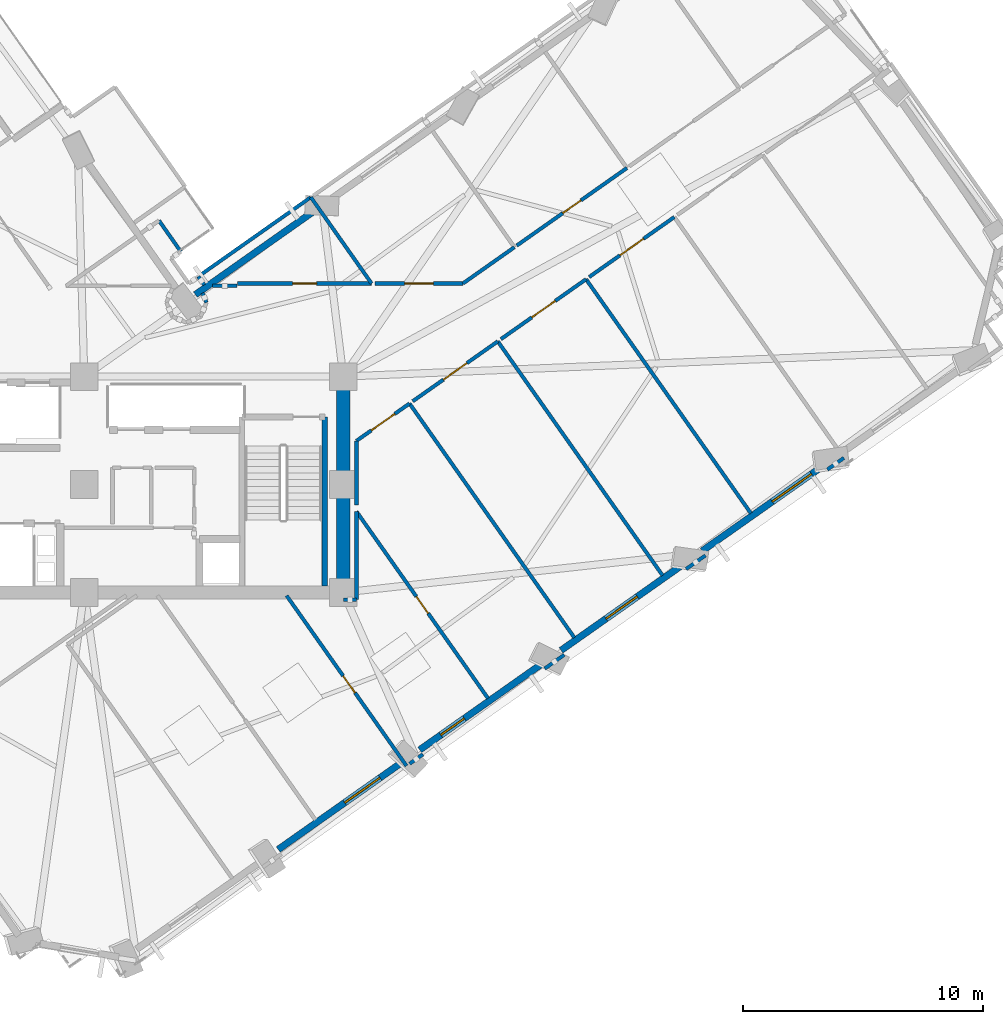
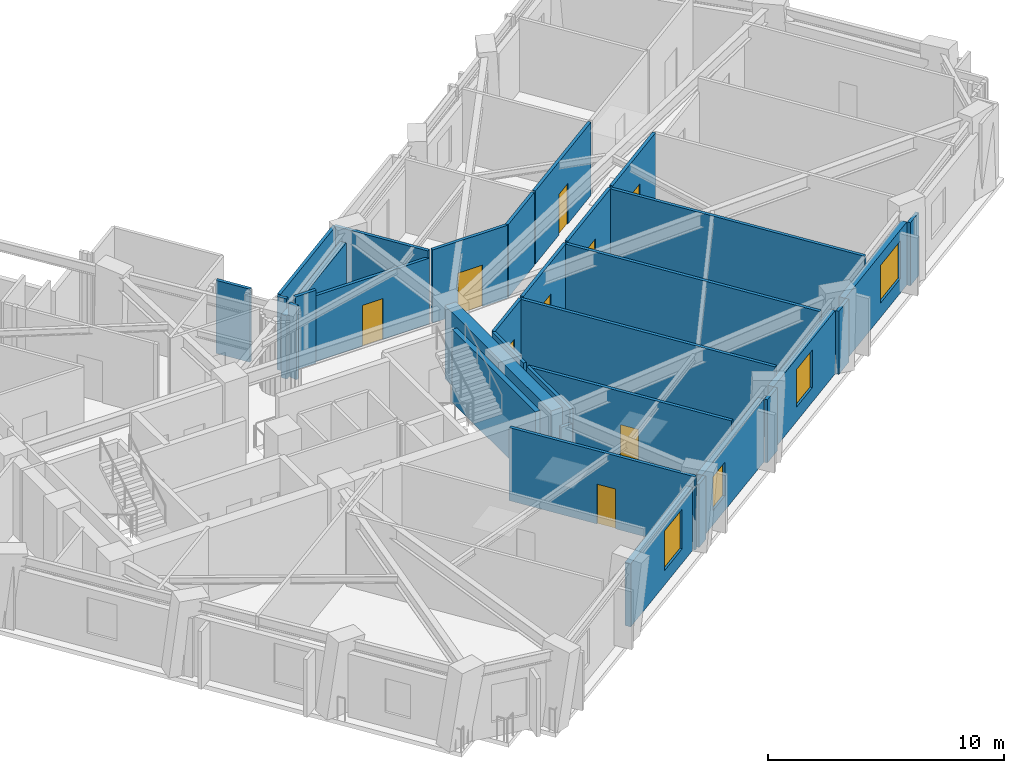
# One storey, part 6 of 13: 33 walls, 9 doors, 4 windows, 13 openings.
"""IFC4 building model written with IfcOpenShell, lengths in metres."""

from ifc_helpers import new_model, si_unit, direction, frame, frame_2d, origin, place, context, subcontext, project, spatial, rectangle, extrude, material, layer, layer_set, type_object, element, fill, save


model = new_model("IFC4")

# Units and contexts
model_context = context("Model", 3, precision=1e-05, world=origin(), true_north=direction((0.0, 1.0)))
body_context = subcontext(model_context, "Body", "Model", "MODEL_VIEW")
ifc_project = project(units=[si_unit("LENGTHUNIT", "METRE"), si_unit("AREAUNIT", "SQUARE_METRE"), si_unit("VOLUMEUNIT", "CUBIC_METRE"), si_unit("PLANEANGLEUNIT", "RADIAN"), si_unit("MASSUNIT", "GRAM", prefix="KILO")], contexts=[model_context])

# Site, building, storey
site_placement = place(None, origin())
site = spatial("IfcSite", under=ifc_project, at=site_placement, CompositionType="ELEMENT")
building_placement = place(site_placement, origin())
building = spatial("IfcBuilding", under=site, at=building_placement, Name="Gaonmaruhae Medical Tower", CompositionType="ELEMENT")
storey_placement = place(building_placement, frame((0.0, 0.0, 173.800048828125)))
storey = spatial("IfcBuildingStorey", under=building, at=storey_placement, Name="L41", CompositionType="ELEMENT", Elevation=173.800048828125)

# Wall
ifc_material_1 = material(Name="Concrete C50/60", Category="concrete")
ifc_layer_1 = layer(ifc_material_1, 0.550048828125)
ifc_layer_set_1 = layer_set([ifc_layer_1], Name="Concrete C50/60")
wall_type_1 = type_object("IfcWallType", Name="CW-550 Mid-High Core Shear Wall", PredefinedType="SHEAR", material=ifc_layer_set_1)
wall_1_placement = place(storey_placement, frame((35.60009765625, 7.800048828125, 0.0), z_axis=(0.0, 0.0, 1.0), x_axis=(0.0, 1.0, 0.0)))
element("IfcWall", 1, at=wall_1_placement, inside=storey, type_object=wall_type_1, Name="L41 Core Shear Wall CSW-E1", PredefinedType="SHEAR", context=body_context, shape_type="SweptSolid", body=[
    extrude(rectangle(XDim=9.0, YDim=0.550048828125, at=frame_2d((4.5, 0.0))), origin(), (0.0, 0.0, 1.0), 3.780029296875),
])

# Wall, opening, window
ifc_material_2 = material(Name="Precast concrete C45/55", Category="concrete")
ifc_layer_2 = layer(ifc_material_2, 0.280029296875)
ifc_layer_set_2 = layer_set([ifc_layer_2], Name="Precast concrete C45/55")
wall_type_2 = type_object("IfcWallType", Name="EW-280 Upper Precast Masonry-Frame Facade Wall", PredefinedType="SOLIDWALL", material=ifc_layer_set_2)
wall_2_placement = place(storey_placement, frame((37.984375, 0.6748046875, 0.0), z_axis=(0.0, 0.0, 1.0), x_axis=(-0.817652115321, -0.575712617814, 0.0)))
wall_2 = element("IfcWall", 2, at=wall_2_placement, inside=storey, type_object=wall_type_2, Name="L41 Precast Masonry-Frame Wall S02-S03", PredefinedType="SOLIDWALL", context=body_context, shape_type="SweptSolid", body=[
    extrude(rectangle(XDim=6.234130859375, YDim=0.280029296875, at=frame_2d((3.1171875, 0.0))), origin(), (0.0, 0.0, 1.0), 3.264892578125),
])
opening_1_placement = place(wall_2_placement, frame((1.04443359375, 0.0, 0.75)))
opening_1 = element("IfcOpeningElement", 3, at=opening_1_placement, cuts=wall_2, Name="Opening WN-04", PredefinedType="OPENING", context=body_context, shape_type="SweptSolid", body=[
    extrude(rectangle(XDim=1.800048828125, YDim=2.050048828125, at=frame_2d((0.89990234375, 1.02490234375))), frame((0.0, 0.14990234375, 0.0), z_axis=(0.0, -1.0, 0.0), x_axis=(1.0, 0.0, 0.0)), (0.0, 0.0, 1.0), 0.300048828125),
])
ifc_material_3 = material(Name="Anodised aluminium and Low-E double glazing", Category="aluminium")
window_type_1 = type_object("IfcWindowType", Name="WN-04 Clinic & Consult Punched Window 1800x2050", PartitioningType="SINGLE_PANEL", PredefinedType="WINDOW", material=ifc_material_3)
window_1_placement = place(opening_1_placement, origin())
window_1 = element("IfcWindow", 4, at=window_1_placement, inside=storey, type_object=window_type_1, Name="L41 Modular Facade Window S02", OverallHeight=2.050048828125, OverallWidth=1.800048828125, PartitioningType="SINGLE_PANEL", PredefinedType="WINDOW", context=body_context, shape_type="SweptSolid", body=[
    extrude(rectangle(XDim=1.800048828125, YDim=2.050048828125, at=frame_2d((0.89990234375, 1.02490234375))), frame((0.0, 0.030029296875, 0.0), z_axis=(0.0, -1.0, 0.0), x_axis=(1.0, 0.0, 0.0)), (0.0, 0.0, 1.0), 0.06005859375),
])
fill(opening_1, window_1)

wall_3_placement = place(storey_placement, frame((43.865966796875, 4.816162109375, 0.0), z_axis=(0.0, 0.0, 1.0), x_axis=(-0.81764887873, -0.575717214535, 0.0)))
wall_3 = element("IfcWall", 5, at=wall_3_placement, inside=storey, type_object=wall_type_2, Name="L41 Precast Masonry-Frame Wall S03-S04", PredefinedType="SOLIDWALL", context=body_context, shape_type="SweptSolid", body=[
    extrude(rectangle(XDim=6.214111328125, YDim=0.280029296875, at=frame_2d((3.10693359375, 0.0))), origin(), (0.0, 0.0, 1.0), 3.264892578125),
])
opening_2_placement = place(wall_3_placement, frame((3.93505859375, 0.0, 0.75)))
opening_2 = element("IfcOpeningElement", 6, at=opening_2_placement, cuts=wall_3, Name="Opening WN-05", PredefinedType="OPENING", context=body_context, shape_type="SweptSolid", body=[
    extrude(rectangle(XDim=1.199951171875, YDim=1.75, at=frame_2d((0.60009765625, 0.875))), frame((0.0, 0.14990234375, 0.0), z_axis=(0.0, -1.0, 0.0), x_axis=(1.0, 0.0, 0.0)), (0.0, 0.0, 1.0), 0.300048828125),
])
window_type_2 = type_object("IfcWindowType", Name="WN-05 Support & Staff Punched Window 1200x1750", PartitioningType="SINGLE_PANEL", PredefinedType="WINDOW", material=ifc_material_3)
window_2_placement = place(opening_2_placement, origin())
window_2 = element("IfcWindow", 7, at=window_2_placement, inside=storey, type_object=window_type_2, Name="L41 Modular Facade Window S03", OverallHeight=1.75, OverallWidth=1.199951171875, PartitioningType="SINGLE_PANEL", PredefinedType="WINDOW", context=body_context, shape_type="SweptSolid", body=[
    extrude(rectangle(XDim=1.199951171875, YDim=1.75, at=frame_2d((0.60009765625, 0.875))), frame((0.0, 0.030029296875, 0.0), z_axis=(0.0, -1.0, 0.0), x_axis=(1.0, 0.0, 0.0)), (0.0, 0.0, 1.0), 0.06005859375),
])
fill(opening_2, window_2)

wall_4_placement = place(storey_placement, frame((49.75341796875, 8.961669921875, 0.0), z_axis=(0.0, 0.0, 1.0), x_axis=(-0.817636402399, -0.575734933343, 0.0)))
wall_4 = element("IfcWall", 8, at=wall_4_placement, inside=storey, type_object=wall_type_2, Name="L41 Precast Masonry-Frame Wall S04-S05", PredefinedType="SOLIDWALL", context=body_context, shape_type="SweptSolid", body=[
    extrude(rectangle(XDim=6.208984375, YDim=0.280029296875, at=frame_2d((3.1044921875, 0.0))), origin(), (0.0, 0.0, 1.0), 3.264892578125),
])
opening_3_placement = place(wall_4_placement, frame((2.3193359375, 0.0, 0.75)))
opening_3 = element("IfcOpeningElement", 9, at=opening_3_placement, cuts=wall_4, Name="Opening WN-01", PredefinedType="OPENING", context=body_context, shape_type="SweptSolid", body=[
    extrude(rectangle(XDim=1.60009765625, YDim=1.949951171875, at=frame_2d((0.800048828125, 0.97509765625))), frame((0.0, 0.14990234375, 0.0), z_axis=(0.0, -1.0, 0.0), x_axis=(1.0, 0.0, 0.0)), (0.0, 0.0, 1.0), 0.300048828125),
])
window_type_3 = type_object("IfcWindowType", Name="WN-01 Ward Punched Acoustic Window 1600x1950", PartitioningType="SINGLE_PANEL", PredefinedType="WINDOW", material=ifc_material_3)
window_3_placement = place(opening_3_placement, origin())
window_3 = element("IfcWindow", 10, at=window_3_placement, inside=storey, type_object=window_type_3, Name="L41 Modular Facade Window S04", OverallHeight=1.949951171875, OverallWidth=1.60009765625, PartitioningType="SINGLE_PANEL", PredefinedType="WINDOW", context=body_context, shape_type="SweptSolid", body=[
    extrude(rectangle(XDim=1.60009765625, YDim=1.949951171875, at=frame_2d((0.800048828125, 0.97509765625))), frame((0.0, 0.030029296875, 0.0), z_axis=(0.0, -1.0, 0.0), x_axis=(1.0, 0.0, 0.0)), (0.0, 0.0, 1.0), 0.06005859375),
])
fill(opening_3, window_3)

wall_5_placement = place(storey_placement, frame((55.646728515625, 13.111328125, 0.0), z_axis=(0.0, 0.0, 1.0), x_axis=(-0.817651715205, -0.575713186077, 0.0)))
wall_5 = element("IfcWall", 11, at=wall_5_placement, inside=storey, type_object=wall_type_2, Name="L41 Precast Masonry-Frame Wall S05-S06", PredefinedType="SOLIDWALL", context=body_context, shape_type="SweptSolid", body=[
    extrude(rectangle(XDim=6.218017578125, YDim=0.280029296875, at=frame_2d((3.10888671875, 0.0))), origin(), (0.0, 0.0, 1.0), 3.264892578125),
])
opening_4_placement = place(wall_5_placement, frame((0.64599609375, 0.0, 0.75)))
opening_4 = element("IfcOpeningElement", 12, at=opening_4_placement, cuts=wall_5, Name="Opening WN-02", PredefinedType="OPENING", context=body_context, shape_type="SweptSolid", body=[
    extrude(rectangle(XDim=2.0, YDim=1.949951171875, at=frame_2d((1.0, 0.97509765625))), frame((0.0, 0.14990234375, 0.0), z_axis=(0.0, -1.0, 0.0), x_axis=(1.0, 0.0, 0.0)), (0.0, 0.0, 1.0), 0.300048828125),
])
window_type_4 = type_object("IfcWindowType", Name="WN-02 Double-Bed Ward Punched Window 2000x1950", PartitioningType="SINGLE_PANEL", PredefinedType="WINDOW", material=ifc_material_3)
window_4_placement = place(opening_4_placement, origin())
window_4 = element("IfcWindow", 13, at=window_4_placement, inside=storey, type_object=window_type_4, Name="L41 Modular Facade Window S05", OverallHeight=1.949951171875, OverallWidth=2.0, PartitioningType="SINGLE_PANEL", PredefinedType="WINDOW", context=body_context, shape_type="SweptSolid", body=[
    extrude(rectangle(XDim=2.0, YDim=1.949951171875, at=frame_2d((1.0, 0.97509765625))), frame((0.0, 0.030029296875, 0.0), z_axis=(0.0, -1.0, 0.0), x_axis=(1.0, 0.0, 0.0)), (0.0, 0.0, 1.0), 0.06005859375),
])
fill(opening_4, window_4)

# Wall
wall_6_placement = place(storey_placement, frame((29.4345703125, 20.2158203125, 0.0), z_axis=(0.0, 0.0, 1.0), x_axis=(0.817631441068, 0.575741979169, 0.0)))
element("IfcWall", 14, at=wall_6_placement, inside=storey, type_object=wall_type_2, Name="L41 Precast Masonry-Frame Wall EN03-KN01", PredefinedType="SOLIDWALL", context=body_context, shape_type="SweptSolid", body=[
    extrude(rectangle(XDim=5.9599609375, YDim=0.280029296875, at=frame_2d((2.97998046875, 0.0))), origin(), (0.0, 0.0, 1.0), 3.264892578125),
])

# Wall, opening, door
ifc_material_4 = material(Name="Gypsum board partition", Category="gypsum")
ifc_layer_3 = layer(ifc_material_4, 0.14990234375)
ifc_layer_set_3 = layer_set([ifc_layer_3], Name="Gypsum board partition")
wall_type_3 = type_object("IfcWallType", Name="PW-150 Rated Clinical Corridor Partition", PredefinedType="PARTITIONING", material=ifc_layer_set_3)
wall_7_placement = place(storey_placement, frame((33.236083984375, 7.6689453125, 0.0), z_axis=(0.0, 0.0, 1.0), x_axis=(0.575764322931, -0.817615707065, 0.0)))
wall_7 = element("IfcWall", 15, at=wall_7_placement, inside=storey, type_object=wall_type_3, Name="L41 Interior Partition L41-SUP04-12", PredefinedType="PARTITIONING", context=body_context, shape_type="SweptSolid", body=[
    extrude(rectangle(XDim=8.682373046875, YDim=0.14990234375, at=frame_2d((4.34130859375, 0.0))), origin(), (0.0, 0.0, 1.0), 3.780029296875),
])
opening_5_placement = place(wall_7_placement, frame((4.0947265625, 0.0, 0.0)))
opening_5 = element("IfcOpeningElement", 16, at=opening_5_placement, cuts=wall_7, Name="Opening AD-01", PredefinedType="OPENING", context=body_context, shape_type="SweptSolid", body=[
    extrude(rectangle(XDim=0.860107421875, YDim=2.06005859375, at=frame_2d((0.43017578125, 1.030029296875))), frame((0.0, 0.0849609375, 0.0), z_axis=(0.0, -1.0, 0.0), x_axis=(1.0, 0.0, 0.0)), (0.0, 0.0, 1.0), 0.169921875),
])
ifc_material_5 = material(Name="Powder-coated steel access door", Category="steel")
door_type_1 = type_object("IfcDoorType", Name="AD-01 Riser & Closet Access Fire Door 860x2060", OperationType="NOTDEFINED", PredefinedType="DOOR", material=ifc_material_5)
door_1_placement = place(opening_5_placement, origin())
door_1 = element("IfcDoor", 17, at=door_1_placement, inside=storey, type_object=door_type_1, Name="L41 Clinical Biomedical Charting Office Sliding Door", OperationType="SLIDING_TO_LEFT", OverallHeight=2.06005859375, OverallWidth=0.860107421875, PredefinedType="DOOR", context=body_context, shape_type="SweptSolid", body=[
    extrude(rectangle(XDim=0.860107421875, YDim=2.06005859375, at=frame_2d((0.43017578125, 1.030029296875))), frame((0.0, 0.02490234375, 0.0), z_axis=(0.0, -1.0, 0.0), x_axis=(1.0, 0.0, 0.0)), (0.0, 0.0, 1.0), 0.050048828125),
])
fill(opening_5, door_1)

wall_8_placement = place(storey_placement, frame((36.14990234375, 11.174072265625, 0.0), z_axis=(0.0, 0.0, 1.0), x_axis=(0.575699711448, -0.817661202601, 0.0)))
wall_8 = element("IfcWall", 18, at=wall_8_placement, inside=storey, type_object=wall_type_3, Name="L41 Interior Partition L41-SUP05-13", PredefinedType="PARTITIONING", context=body_context, shape_type="SweptSolid", body=[
    extrude(rectangle(XDim=9.526123046875, YDim=0.14990234375, at=frame_2d((4.76318359375, 0.0))), origin(), (0.0, 0.0, 1.0), 3.780029296875),
])
opening_6_placement = place(wall_8_placement, frame((4.3330078125, 0.0, 0.0)))
opening_6 = element("IfcOpeningElement", 19, at=opening_6_placement, cuts=wall_8, Name="Opening AD-01", PredefinedType="OPENING", context=body_context, shape_type="SweptSolid", body=[
    extrude(rectangle(XDim=0.860107421875, YDim=2.06005859375, at=frame_2d((0.43017578125, 1.030029296875))), frame((0.0, 0.0849609375, 0.0), z_axis=(0.0, -1.0, 0.0), x_axis=(1.0, 0.0, 0.0)), (0.0, 0.0, 1.0), 0.169921875),
])
door_2_placement = place(opening_6_placement, origin())
door_2 = element("IfcDoor", 20, at=door_2_placement, inside=storey, type_object=door_type_1, Name="L41 Clinical Biomedical Charting Office Sliding Door", OperationType="SLIDING_TO_LEFT", OverallHeight=2.06005859375, OverallWidth=0.860107421875, PredefinedType="DOOR", context=body_context, shape_type="SweptSolid", body=[
    extrude(rectangle(XDim=0.860107421875, YDim=2.06005859375, at=frame_2d((0.43017578125, 1.030029296875))), frame((0.0, 0.02490234375, 0.0), z_axis=(0.0, -1.0, 0.0), x_axis=(1.0, 0.0, 0.0)), (0.0, 0.0, 1.0), 0.050048828125),
])
fill(opening_6, door_2)

# Walls
wall_9_placement = place(storey_placement, frame((38.9169921875, 1.050048828125, 0.0), z_axis=(0.0, 0.0, 1.0), x_axis=(-0.817680097972, -0.575672873584, 0.0)))
element("IfcWall", 21, at=wall_9_placement, inside=storey, type_object=wall_type_3, Name="L41 Interior Partition L41-SUP05-14", PredefinedType="PARTITIONING", context=body_context, shape_type="SweptSolid", body=[
    extrude(rectangle(XDim=0.673828125, YDim=0.14990234375, at=frame_2d((0.3369140625, 0.0))), origin(), (0.0, 0.0, 1.0), 3.264892578125),
])
wall_10_placement = place(storey_placement, frame((35.60009765625, 7.5, 0.0), z_axis=(0.0, 0.0, 1.0), x_axis=(1.0, 0.0, 0.0)))
element("IfcWall", 22, at=wall_10_placement, inside=storey, type_object=wall_type_3, Name="L41 Interior Partition L41-SUP05-15", PredefinedType="PARTITIONING", context=body_context, shape_type="SweptSolid", body=[
    extrude(rectangle(XDim=0.5498046875, YDim=0.14990234375, at=frame_2d((0.27490234375, 0.0))), origin(), (0.0, 0.0, 1.0), 3.06494140625),
])
wall_11_placement = place(storey_placement, frame((36.14990234375, 7.5, 0.0), z_axis=(0.0, 0.0, 1.0), x_axis=(0.0, 1.0, 0.0)))
element("IfcWall", 23, at=wall_11_placement, inside=storey, type_object=wall_type_3, Name="L41 Interior Partition L41-SUP05-16", PredefinedType="PARTITIONING", context=body_context, shape_type="SweptSolid", body=[
    extrude(rectangle(XDim=3.674072265625, YDim=0.14990234375, at=frame_2d((1.8369140625, 0.0))), origin(), (0.0, 0.0, 1.0), 3.780029296875),
])
wall_12_placement = place(storey_placement, frame((38.360107421875, 15.677001953125, 0.0), z_axis=(0.0, 0.0, 1.0), x_axis=(0.575682896217, -0.817673041627, 0.0)))
element("IfcWall", 24, at=wall_12_placement, inside=storey, type_object=wall_type_3, Name="L41 Interior Partition L41-SUP06-17", PredefinedType="PARTITIONING", context=body_context, shape_type="SweptSolid", body=[
    extrude(rectangle(XDim=11.93505859375, YDim=0.14990234375, at=frame_2d((5.967529296875, 0.0))), origin(), (0.0, 0.0, 1.0), 3.780029296875),
])
wall_13_placement = place(storey_placement, frame((44.80908203125, 5.198974609375, 0.0), z_axis=(0.0, 0.0, 1.0), x_axis=(-0.817656227309, -0.575706777747, 0.0)))
element("IfcWall", 25, at=wall_13_placement, inside=storey, type_object=wall_type_3, Name="L41 Interior Partition L41-SUP06-18", PredefinedType="PARTITIONING", context=body_context, shape_type="SweptSolid", body=[
    extrude(rectangle(XDim=0.991943359375, YDim=0.14990234375, at=frame_2d((0.49609375, 0.0))), origin(), (0.0, 0.0, 1.0), 3.264892578125),
])
wall_14_placement = place(storey_placement, frame((36.14990234375, 11.450927734375, 0.0), z_axis=(0.0, 0.0, 1.0), x_axis=(0.0, 1.0, 0.0)))
element("IfcWall", 26, at=wall_14_placement, inside=storey, type_object=wall_type_3, Name="L41 Interior Partition L41-SUP06-19", PredefinedType="PARTITIONING", context=body_context, shape_type="SweptSolid", body=[
    extrude(rectangle(XDim=2.670166015625, YDim=0.14990234375, at=frame_2d((1.3349609375, 0.0))), origin(), (0.0, 0.0, 1.0), 3.780029296875),
])

# Wall, opening, door
wall_15_placement = place(storey_placement, frame((36.14990234375, 14.12109375, 0.0), z_axis=(0.0, 0.0, 1.0), x_axis=(0.817705641337, 0.575636590328, 0.0)))
wall_15 = element("IfcWall", 27, at=wall_15_placement, inside=storey, type_object=wall_type_3, Name="L41 Interior Partition L41-SUP06-20", PredefinedType="PARTITIONING", context=body_context, shape_type="SweptSolid", body=[
    extrude(rectangle(XDim=2.702880859375, YDim=0.14990234375, at=frame_2d((1.3515625, 0.0))), origin(), (0.0, 0.0, 1.0), 3.780029296875),
])
opening_7_placement = place(wall_15_placement, frame((0.75146484375, 0.0, 0.0)))
opening_7 = element("IfcOpeningElement", 28, at=opening_7_placement, cuts=wall_15, Name="Opening CD-02", PredefinedType="OPENING", context=body_context, shape_type="SweptSolid", body=[
    extrude(rectangle(XDim=1.199951171875, YDim=2.14990234375, at=frame_2d((0.60009765625, 1.074951171875))), frame((0.0, 0.0849609375, 0.0), z_axis=(0.0, -1.0, 0.0), x_axis=(1.0, 0.0, 0.0)), (0.0, 0.0, 1.0), 0.169921875),
])
ifc_material_6 = material(Name="Antimicrobial laminate timber fire door", Category="wood")
door_type_2 = type_object("IfcDoorType", Name="CD-02 Clinical Treatment & Procedure Door 1200x2150", OperationType="NOTDEFINED", PredefinedType="DOOR", material=ifc_material_6)
door_3_placement = place(opening_7_placement, origin())
door_3 = element("IfcDoor", 29, at=door_3_placement, inside=storey, type_object=door_type_2, Name="L41 Clinical Biomedical Charting Office Door", OperationType="SINGLE_SWING_LEFT", OverallHeight=2.14990234375, OverallWidth=1.199951171875, PredefinedType="DOOR", context=body_context, shape_type="SweptSolid", body=[
    extrude(rectangle(XDim=1.199951171875, YDim=2.14990234375, at=frame_2d((0.60009765625, 1.074951171875))), frame((0.0, 0.02490234375, 0.0), z_axis=(0.0, -1.0, 0.0), x_axis=(1.0, 0.0, 0.0)), (0.0, 0.0, 1.0), 0.050048828125),
])
fill(opening_7, door_3)

wall_16_placement = place(storey_placement, frame((38.490966796875, 15.76904296875, 0.0), z_axis=(0.0, 0.0, 1.0), x_axis=(0.817640693415, 0.575728839361, 0.0)))
wall_16 = element("IfcWall", 30, at=wall_16_placement, inside=storey, type_object=wall_type_3, Name="L41 Interior Partition L41-SUP07-21", PredefinedType="PARTITIONING", context=body_context, shape_type="SweptSolid", body=[
    extrude(rectangle(XDim=4.340576171875, YDim=0.14990234375, at=frame_2d((2.17041015625, 0.0))), origin(), (0.0, 0.0, 1.0), 3.780029296875),
])
opening_8_placement = place(wall_16_placement, frame((1.5703125, 0.0, 0.0)))
opening_8 = element("IfcOpeningElement", 31, at=opening_8_placement, cuts=wall_16, Name="Opening CD-02", PredefinedType="OPENING", context=body_context, shape_type="SweptSolid", body=[
    extrude(rectangle(XDim=1.199951171875, YDim=2.14990234375, at=frame_2d((0.60009765625, 1.074951171875))), frame((0.0, 0.0849609375, 0.0), z_axis=(0.0, -1.0, 0.0), x_axis=(1.0, 0.0, 0.0)), (0.0, 0.0, 1.0), 0.169921875),
])
door_4_placement = place(opening_8_placement, origin())
door_4 = element("IfcDoor", 32, at=door_4_placement, inside=storey, type_object=door_type_2, Name="L41 Clinical Biomedical Charting Office Door", OperationType="SINGLE_SWING_RIGHT", OverallHeight=2.14990234375, OverallWidth=1.199951171875, PredefinedType="DOOR", context=body_context, shape_type="SweptSolid", body=[
    extrude(rectangle(XDim=1.199951171875, YDim=2.14990234375, at=frame_2d((0.60009765625, 1.074951171875))), frame((0.0, 0.02490234375, 0.0), z_axis=(0.0, -1.0, 0.0), x_axis=(1.0, 0.0, 0.0)), (0.0, 0.0, 1.0), 0.050048828125),
])
fill(opening_8, door_4)

# Wall
wall_17_placement = place(storey_placement, frame((42.0400390625, 18.26806640625, 0.0), z_axis=(0.0, 0.0, 1.0), x_axis=(0.575682896217, -0.817673041627, 0.0)))
element("IfcWall", 33, at=wall_17_placement, inside=storey, type_object=wall_type_3, Name="L41 Interior Partition L41-SUP07-22", PredefinedType="PARTITIONING", context=body_context, shape_type="SweptSolid", body=[
    extrude(rectangle(XDim=11.93505859375, YDim=0.14990234375, at=frame_2d((5.967529296875, 0.0))), origin(), (0.0, 0.0, 1.0), 3.780029296875),
])

# Wall, opening, door
wall_18_placement = place(storey_placement, frame((42.1708984375, 18.360107421875, 0.0), z_axis=(0.0, 0.0, 1.0), x_axis=(0.81769852076, 0.575646705147, 0.0)))
wall_18 = element("IfcWall", 34, at=wall_18_placement, inside=storey, type_object=wall_type_3, Name="L41 Interior Partition L41-SUP08-23", PredefinedType="PARTITIONING", context=body_context, shape_type="SweptSolid", body=[
    extrude(rectangle(XDim=4.339111328125, YDim=0.14990234375, at=frame_2d((2.16943359375, 0.0))), origin(), (0.0, 0.0, 1.0), 3.780029296875),
])
opening_9_placement = place(wall_18_placement, frame((1.569580078125, 0.0, 0.0)))
opening_9 = element("IfcOpeningElement", 35, at=opening_9_placement, cuts=wall_18, Name="Opening CD-02", PredefinedType="OPENING", context=body_context, shape_type="SweptSolid", body=[
    extrude(rectangle(XDim=1.199951171875, YDim=2.14990234375, at=frame_2d((0.60009765625, 1.074951171875))), frame((0.0, 0.0849609375, 0.0), z_axis=(0.0, -1.0, 0.0), x_axis=(1.0, 0.0, 0.0)), (0.0, 0.0, 1.0), 0.169921875),
])
door_5_placement = place(opening_9_placement, origin())
door_5 = element("IfcDoor", 36, at=door_5_placement, inside=storey, type_object=door_type_2, Name="L41 Clinical Biomedical Charting Office Door", OperationType="SINGLE_SWING_RIGHT", OverallHeight=2.14990234375, OverallWidth=1.199951171875, PredefinedType="DOOR", context=body_context, shape_type="SweptSolid", body=[
    extrude(rectangle(XDim=1.199951171875, YDim=2.14990234375, at=frame_2d((0.60009765625, 1.074951171875))), frame((0.0, 0.02490234375, 0.0), z_axis=(0.0, -1.0, 0.0), x_axis=(1.0, 0.0, 0.0)), (0.0, 0.0, 1.0), 0.050048828125),
])
fill(opening_9, door_5)

# Walls
wall_19_placement = place(storey_placement, frame((45.718994140625, 20.85791015625, 0.0), z_axis=(0.0, 0.0, 1.0), x_axis=(0.575744719848, -0.817629511189, 0.0)))
element("IfcWall", 37, at=wall_19_placement, inside=storey, type_object=wall_type_3, Name="L41 Interior Partition L41-SUP08-24", PredefinedType="PARTITIONING", context=body_context, shape_type="SweptSolid", body=[
    extrude(rectangle(XDim=11.934326171875, YDim=0.14990234375, at=frame_2d((5.96728515625, 0.0))), origin(), (0.0, 0.0, 1.0), 3.780029296875),
])
wall_20_placement = place(storey_placement, frame((50.695068359375, 9.343017578125, 0.0), z_axis=(0.0, 0.0, 1.0), x_axis=(-0.8179311641, -0.575316096415, 0.0)))
element("IfcWall", 38, at=wall_20_placement, inside=storey, type_object=wall_type_3, Name="L41 Interior Partition L41-SUP08-25", PredefinedType="PARTITIONING", context=body_context, shape_type="SweptSolid", body=[
    extrude(rectangle(XDim=0.9892578125, YDim=0.14990234375, at=frame_2d((0.49462890625, 0.0))), origin(), (0.0, 0.0, 1.0), 3.264892578125),
])

# Wall, opening, door
wall_21_placement = place(storey_placement, frame((45.85009765625, 20.950927734375, 0.0), z_axis=(0.0, 0.0, 1.0), x_axis=(0.817727963856, 0.575604879346, 0.0)))
wall_21 = element("IfcWall", 39, at=wall_21_placement, inside=storey, type_object=wall_type_3, Name="L41 Interior Partition L41-SUP09-26", PredefinedType="PARTITIONING", context=body_context, shape_type="SweptSolid", body=[
    extrude(rectangle(XDim=4.33984375, YDim=0.14990234375, at=frame_2d((2.169921875, 0.0))), origin(), (0.0, 0.0, 1.0), 3.780029296875),
])
opening_10_placement = place(wall_21_placement, frame((1.570068359375, 0.0, 0.0)))
opening_10 = element("IfcOpeningElement", 40, at=opening_10_placement, cuts=wall_21, Name="Opening CD-02", PredefinedType="OPENING", context=body_context, shape_type="SweptSolid", body=[
    extrude(rectangle(XDim=1.199951171875, YDim=2.14990234375, at=frame_2d((0.60009765625, 1.074951171875))), frame((0.0, 0.0849609375, 0.0), z_axis=(0.0, -1.0, 0.0), x_axis=(1.0, 0.0, 0.0)), (0.0, 0.0, 1.0), 0.169921875),
])
door_6_placement = place(opening_10_placement, origin())
door_6 = element("IfcDoor", 41, at=door_6_placement, inside=storey, type_object=door_type_2, Name="L41 Clinical Biomedical Charting Office Door", OperationType="SINGLE_SWING_LEFT", OverallHeight=2.14990234375, OverallWidth=1.199951171875, PredefinedType="DOOR", context=body_context, shape_type="SweptSolid", body=[
    extrude(rectangle(XDim=1.199951171875, YDim=2.14990234375, at=frame_2d((0.60009765625, 1.074951171875))), frame((0.0, 0.02490234375, 0.0), z_axis=(0.0, -1.0, 0.0), x_axis=(1.0, 0.0, 0.0)), (0.0, 0.0, 1.0), 0.050048828125),
])
fill(opening_10, door_6)

# Walls
wall_22_placement = place(storey_placement, frame((56.468017578125, 13.408935546875, 0.0), z_axis=(0.0, 0.0, 1.0), x_axis=(-0.817786213284, -0.575522118917, 0.0)))
element("IfcWall", 42, at=wall_22_placement, inside=storey, type_object=wall_type_3, Name="L41 Interior Partition L41-SUP09-28", PredefinedType="PARTITIONING", context=body_context, shape_type="SweptSolid", body=[
    extrude(rectangle(XDim=0.842529296875, YDim=0.14990234375, at=frame_2d((0.42138671875, 0.0))), origin(), (0.0, 0.0, 1.0), 3.264892578125),
])
wall_23_placement = place(storey_placement, frame((29.554931640625, 20.97412109375, 0.0), z_axis=(0.0, 0.0, 1.0), x_axis=(0.575979061459, -0.817464446176, 0.0)))
element("IfcWall", 43, at=wall_23_placement, inside=storey, type_object=wall_type_3, Name="L41 Interior Partition L41-IE01-60", PredefinedType="PARTITIONING", context=body_context, shape_type="SweptSolid", body=[
    extrude(rectangle(XDim=0.435791015625, YDim=0.14990234375, at=frame_2d((0.2177734375, 0.0))), origin(), (0.0, 0.0, 1.0), 3.780029296875),
])
wall_24_placement = place(storey_placement, frame((29.73193359375, 20.284912109375, 0.0), z_axis=(0.0, 0.0, 1.0), x_axis=(0.381950141161, -0.924182930846, 0.0)))
element("IfcWall", 44, at=wall_24_placement, inside=storey, type_object=wall_type_3, Name="L41 Interior Partition L41-IE01-61", PredefinedType="PARTITIONING", context=body_context, shape_type="SweptSolid", body=[
    extrude(rectangle(XDim=0.429443359375, YDim=0.14990234375, at=frame_2d((0.21484375, 0.0))), origin(), (0.0, 0.0, 1.0), 3.780029296875),
])
wall_25_placement = place(storey_placement, frame((27.9150390625, 23.303955078125, 0.0), z_axis=(0.0, 0.0, 1.0), x_axis=(0.575451525788, -0.817835889081, 0.0)))
element("IfcWall", 45, at=wall_25_placement, inside=storey, type_object=wall_type_3, Name="L41 Interior Partition L41-IE01-70", PredefinedType="PARTITIONING", context=body_context, shape_type="SweptSolid", body=[
    extrude(rectangle(XDim=1.58837890625, YDim=0.14990234375, at=frame_2d((0.794189453125, 0.0))), origin(), (0.0, 0.0, 1.0), 3.780029296875),
])
wall_26_placement = place(storey_placement, frame((31.169921875, 20.580078125, 0.0), z_axis=(0.0, 0.0, 1.0), x_axis=(-1.0, 0.0, 0.0)))
element("IfcWall", 46, at=wall_26_placement, inside=storey, type_object=wall_type_3, Name="L41 Interior Partition L41-IE02-73", PredefinedType="PARTITIONING", context=body_context, shape_type="SweptSolid", body=[
    extrude(rectangle(XDim=1.01904296875, YDim=0.14990234375, at=frame_2d((0.509521484375, 0.0))), origin(), (0.0, 0.0, 1.0), 3.780029296875),
])
wall_27_placement = place(storey_placement, frame((29.653076171875, 21.04296875, 0.0), z_axis=(0.0, 0.0, 1.0), x_axis=(0.817695812803, 0.575650551746, 0.0)))
element("IfcWall", 47, at=wall_27_placement, inside=storey, type_object=wall_type_3, Name="L41 Interior Partition L41-IE02-74", PredefinedType="PARTITIONING", context=body_context, shape_type="SweptSolid", body=[
    extrude(rectangle(XDim=5.6181640625, YDim=0.14990234375, at=frame_2d((2.80908203125, 0.0))), origin(), (0.0, 0.0, 1.0), 3.780029296875),
])
wall_28_placement = place(storey_placement, frame((34.2470703125, 24.277099609375, 0.0), z_axis=(0.0, 0.0, 1.0), x_axis=(0.575591010878, -0.8177377258, 0.0)))
element("IfcWall", 48, at=wall_28_placement, inside=storey, type_object=wall_type_3, Name="L41 Interior Partition L41-IE02-75", PredefinedType="PARTITIONING", context=body_context, shape_type="SweptSolid", body=[
    extrude(rectangle(XDim=4.39892578125, YDim=0.14990234375, at=frame_2d((2.199462890625, 0.0))), origin(), (0.0, 0.0, 1.0), 3.780029296875),
])

# Wall, opening, door
wall_29_placement = place(storey_placement, frame((36.779052734375, 20.679931640625, 0.0), z_axis=(0.0, 0.0, 1.0), x_axis=(-1.0, 0.0, 0.0)))
wall_29 = element("IfcWall", 49, at=wall_29_placement, inside=storey, type_object=wall_type_3, Name="L41 Interior Partition L41-IE02-76", PredefinedType="PARTITIONING", context=body_context, shape_type="SweptSolid", body=[
    extrude(rectangle(XDim=5.58203125, YDim=0.14990234375, at=frame_2d((2.791015625, 0.0))), origin(), (0.0, 0.0, 1.0), 3.4150390625),
])
opening_11_placement = place(wall_29_placement, frame((2.291015625, 0.0, 0.0)))
opening_11 = element("IfcOpeningElement", 50, at=opening_11_placement, cuts=wall_29, Name="Opening CD-01", PredefinedType="OPENING", context=body_context, shape_type="SweptSolid", body=[
    extrude(rectangle(XDim=1.0, YDim=2.1201171875, at=frame_2d((0.5, 1.06005859375))), frame((0.0, 0.0849609375, 0.0), z_axis=(0.0, -1.0, 0.0), x_axis=(1.0, 0.0, 0.0)), (0.0, 0.0, 1.0), 0.169921875),
])
door_type_3 = type_object("IfcDoorType", Name="CD-01 Consultation & Physician Office Door 1000x2120", OperationType="NOTDEFINED", PredefinedType="DOOR", material=ifc_material_6)
door_7_placement = place(opening_11_placement, origin())
door_7 = element("IfcDoor", 51, at=door_7_placement, inside=storey, type_object=door_type_3, Name="L41 Acute Treatment Examination Room Door", OperationType="SINGLE_SWING_RIGHT", OverallHeight=2.1201171875, OverallWidth=1.0, PredefinedType="DOOR", context=body_context, shape_type="SweptSolid", body=[
    extrude(rectangle(XDim=1.0, YDim=2.1201171875, at=frame_2d((0.5, 1.06005859375))), frame((0.0, 0.02490234375, 0.0), z_axis=(0.0, -1.0, 0.0), x_axis=(1.0, 0.0, 0.0)), (0.0, 0.0, 1.0), 0.050048828125),
])
fill(opening_11, door_7)

# Wall
wall_30_placement = place(storey_placement, frame((42.73193359375, 22.19189453125, 0.0), z_axis=(0.0, 0.0, 1.0), x_axis=(-0.81760379004, -0.575781245363, 0.0)))
element("IfcWall", 52, at=wall_30_placement, inside=storey, type_object=wall_type_3, Name="L41 Interior Partition L41-IE03-80", PredefinedType="PARTITIONING", context=body_context, shape_type="SweptSolid", body=[
    extrude(rectangle(XDim=2.6259765625, YDim=0.14990234375, at=frame_2d((1.31298828125, 0.0))), origin(), (0.0, 0.0, 1.0), 3.780029296875),
])

# Wall, opening, door
wall_31_placement = place(storey_placement, frame((40.5849609375, 20.679931640625, 0.0), z_axis=(0.0, 0.0, 1.0), x_axis=(-1.0, 0.0, 0.0)))
wall_31 = element("IfcWall", 53, at=wall_31_placement, inside=storey, type_object=wall_type_3, Name="L41 Interior Partition L41-IE03-81", PredefinedType="PARTITIONING", context=body_context, shape_type="SweptSolid", body=[
    extrude(rectangle(XDim=3.658935546875, YDim=0.14990234375, at=frame_2d((1.82958984375, 0.0))), origin(), (0.0, 0.0, 1.0), 3.780029296875),
])
opening_12_placement = place(wall_31_placement, frame((1.2294921875, 0.0, 0.0)))
opening_12 = element("IfcOpeningElement", 54, at=opening_12_placement, cuts=wall_31, Name="Opening CD-02", PredefinedType="OPENING", context=body_context, shape_type="SweptSolid", body=[
    extrude(rectangle(XDim=1.199951171875, YDim=2.14990234375, at=frame_2d((0.60009765625, 1.074951171875))), frame((0.0, 0.0849609375, 0.0), z_axis=(0.0, -1.0, 0.0), x_axis=(1.0, 0.0, 0.0)), (0.0, 0.0, 1.0), 0.169921875),
])
door_8_placement = place(opening_12_placement, origin())
door_8 = element("IfcDoor", 55, at=door_8_placement, inside=storey, type_object=door_type_2, Name="L41 Clean Medication Preparation Room Door", OperationType="SINGLE_SWING_RIGHT", OverallHeight=2.14990234375, OverallWidth=1.199951171875, PredefinedType="DOOR", context=body_context, shape_type="SweptSolid", body=[
    extrude(rectangle(XDim=1.199951171875, YDim=2.14990234375, at=frame_2d((0.60009765625, 1.074951171875))), frame((0.0, 0.02490234375, 0.0), z_axis=(0.0, -1.0, 0.0), x_axis=(1.0, 0.0, 0.0)), (0.0, 0.0, 1.0), 0.050048828125),
])
fill(opening_12, door_8)

wall_32_placement = place(storey_placement, frame((47.423095703125, 25.4951171875, 0.0), z_axis=(0.0, 0.0, 1.0), x_axis=(-0.817638200952, -0.5757323791, 0.0)))
wall_32 = element("IfcWall", 56, at=wall_32_placement, inside=storey, type_object=wall_type_3, Name="L41 Interior Partition L41-IE04-82", PredefinedType="PARTITIONING", context=body_context, shape_type="SweptSolid", body=[
    extrude(rectangle(XDim=5.617431640625, YDim=0.14990234375, at=frame_2d((2.80859375, 0.0))), origin(), (0.0, 0.0, 1.0), 3.780029296875),
])
opening_13_placement = place(wall_32_placement, frame((2.3486328125, 0.0, 0.0)))
opening_13 = element("IfcOpeningElement", 57, at=opening_13_placement, cuts=wall_32, Name="Opening UD-01", PredefinedType="OPENING", context=body_context, shape_type="SweptSolid", body=[
    extrude(rectangle(XDim=0.919921875, YDim=2.10009765625, at=frame_2d((0.4599609375, 1.050048828125))), frame((0.0, 0.0849609375, 0.0), z_axis=(0.0, -1.0, 0.0), x_axis=(1.0, 0.0, 0.0)), (0.0, 0.0, 1.0), 0.169921875),
])
ifc_material_7 = material(Name="Powder-coated steel utility door", Category="steel")
door_type_4 = type_object("IfcDoorType", Name="UD-01 Toilet, Utility & Housekeeping Door 920x2100", OperationType="NOTDEFINED", PredefinedType="DOOR", material=ifc_material_7)
door_9_placement = place(opening_13_placement, origin())
door_9 = element("IfcDoor", 58, at=door_9_placement, inside=storey, type_object=door_type_4, Name="L41 Accessible Public Toilet Door", OperationType="SINGLE_SWING_LEFT", OverallHeight=2.10009765625, OverallWidth=0.919921875, PredefinedType="DOOR", context=body_context, shape_type="SweptSolid", body=[
    extrude(rectangle(XDim=0.919921875, YDim=2.10009765625, at=frame_2d((0.4599609375, 1.050048828125))), frame((0.0, 0.02490234375, 0.0), z_axis=(0.0, -1.0, 0.0), x_axis=(1.0, 0.0, 0.0)), (0.0, 0.0, 1.0), 0.050048828125),
])
fill(opening_13, door_9)

# Wall
ifc_layer_4 = layer(ifc_material_1, 0.239990234375)
ifc_layer_set_4 = layer_set([ifc_layer_4], Name="Concrete C50/60")
wall_type_4 = type_object("IfcWallType", Name="SW-240 Dogleg Stair Tight Shaft Wall", PredefinedType="SOLIDWALL", material=ifc_layer_set_4)
wall_33_placement = place(storey_placement, frame((34.830078125, 15.1201171875, 0.0), z_axis=(0.0, 0.0, 1.0), x_axis=(0.0, -1.0, 0.0)))
element("IfcWall", 59, at=wall_33_placement, inside=storey, type_object=wall_type_4, Name="L41 ST-02 Stair Shaft Wall SHW-ST-02-E", PredefinedType="SOLIDWALL", context=body_context, shape_type="SweptSolid", body=[
    extrude(rectangle(XDim=7.045166015625, YDim=0.239990234375, at=frame_2d((3.5224609375, 0.0))), origin(), (0.0, 0.0, 1.0), 3.780029296875),
])

save(model, "model.ifc")
